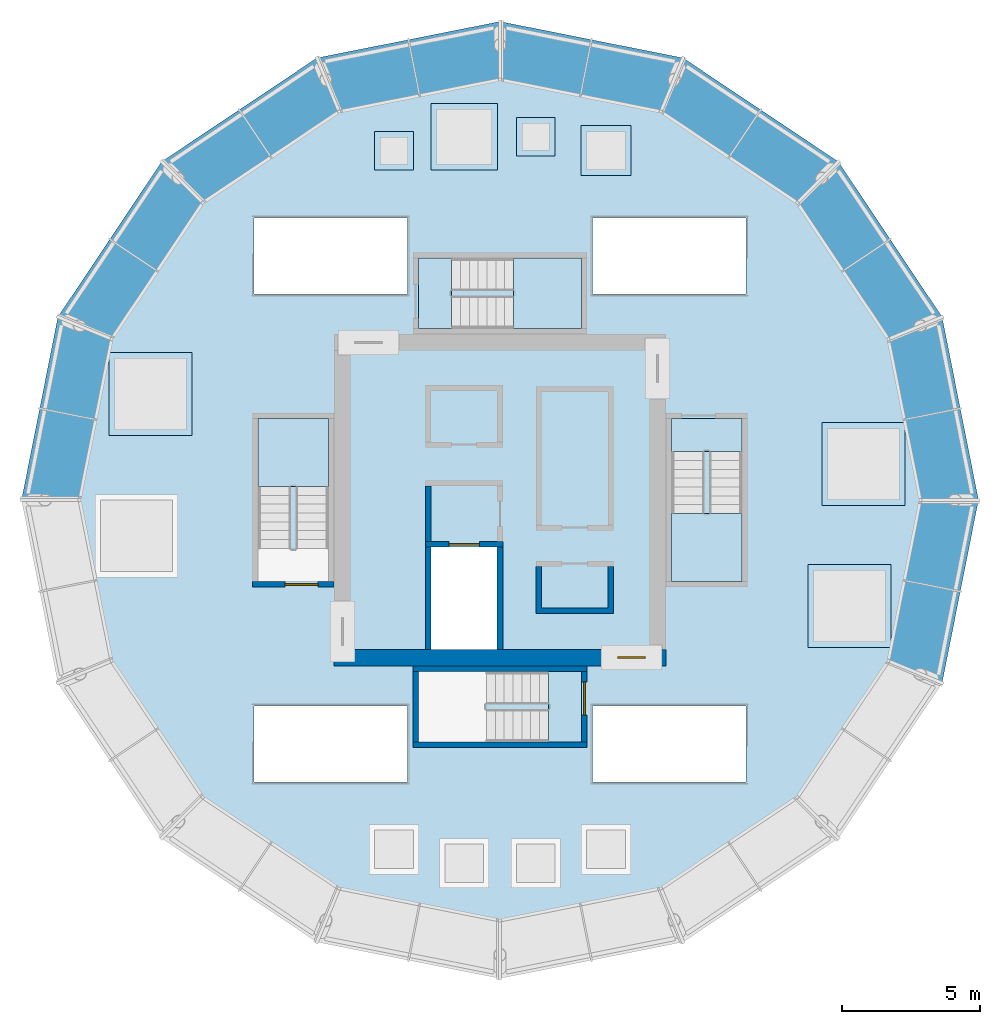
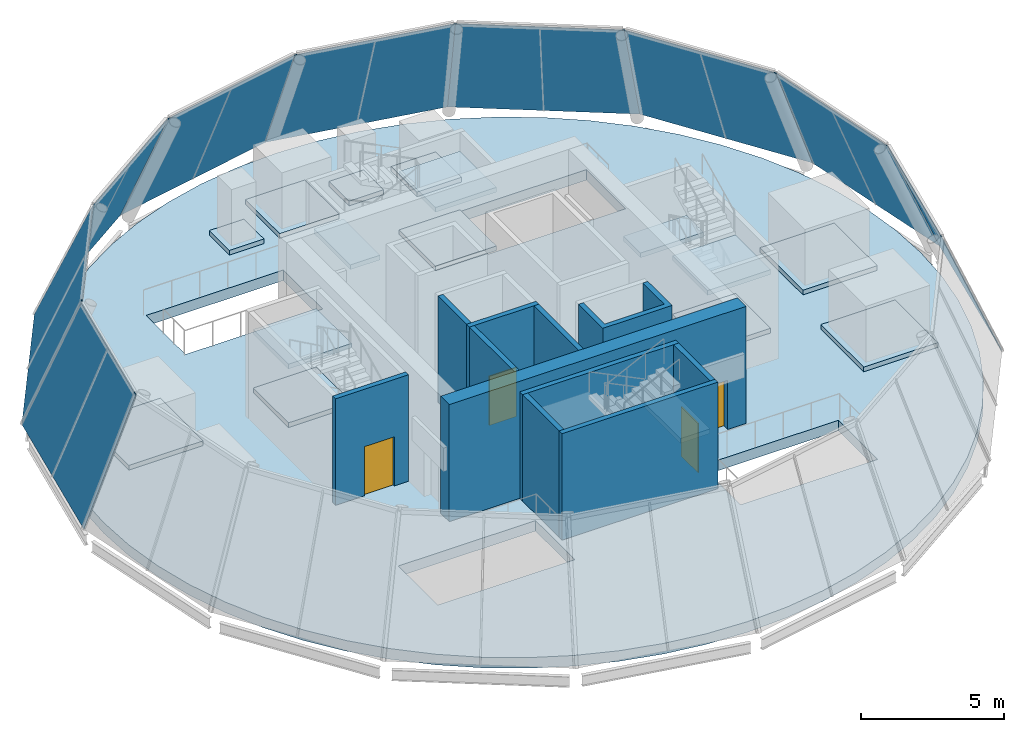
# One storey, part 3 of 8: 17 slabs, 11 walls, 9 plates, 4 doors, 4 openings, 13 elements without a shape of their own.
"""IFC4 building model written with IfcOpenShell, lengths in metres."""

from ifc_helpers import new_model, si_unit, direction, frame, frame_2d, origin, place, context, subcontext, project, spatial, polyline, rectangle, outline, extrude, material, layer, layer_set, type_object, element, fill, aggregate, save


model = new_model("IFC4")

# Units and contexts
model_context = context("Model", 3, precision=1e-05, world=origin(), true_north=direction((0.0, 1.0)))
body_context = subcontext(model_context, "Body", "Model", "MODEL_VIEW")
ifc_project = project(units=[si_unit("LENGTHUNIT", "METRE"), si_unit("AREAUNIT", "SQUARE_METRE"), si_unit("VOLUMEUNIT", "CUBIC_METRE"), si_unit("PLANEANGLEUNIT", "RADIAN"), si_unit("MASSUNIT", "GRAM", prefix="KILO")], contexts=[model_context])

# Site, building, storey
site_placement = place(None, origin())
site = spatial("IfcSite", under=ifc_project, at=site_placement, CompositionType="ELEMENT")
building_placement = place(site_placement, origin())
building = spatial("IfcBuilding", under=site, at=building_placement, Name="Corvane Civic Tower", CompositionType="ELEMENT")
storey_placement = place(building_placement, frame((0.0, 0.0, 392.5)))
storey = spatial("IfcBuildingStorey", under=building, at=storey_placement, Name="L93", CompositionType="ELEMENT", Elevation=392.5)

# Curtain wall, plate
ifc_material_1 = material(Name="Aluminium and glass", Category="aluminium")
curtain_wall_type = type_object("IfcCurtainWallType", Name="CROWN-CW-K-FACET", PredefinedType="NOTDEFINED", material=ifc_material_1)
curtain_wall_1_placement = place(storey_placement, origin())
curtain_wall_1 = element("IfcCurtainWall", 1, at=curtain_wall_1_placement, inside=storey, type_object=curtain_wall_type, Name="Glass cone facet 1 row 2", PredefinedType="NOTDEFINED")
ifc_material_2 = material(Name="Glass tinted low-e laminated", Category="glass")
ifc_layer_1 = layer(ifc_material_2, 0.030029296875)
ifc_layer_set_1 = layer_set([ifc_layer_1], Name="Glass tinted low-e laminated")
plate_type = type_object("IfcPlateType", Name="CROWN-CWK-PANEL-IGU30", PredefinedType="CURTAIN_PANEL", material=ifc_layer_set_1)
plate_1_placement = place(storey_placement, frame((0.0, 17.300048828125, 0.0), z_axis=(-0.180381320094, 0.906855382368, 0.380888297052), x_axis=(-0.980785793676, -0.195087741585, 2.447695e-06)))
plate_1 = element("IfcPlate", 2, at=plate_1_placement, type_object=plate_type, Name="Cone glass panel 1.2", PredefinedType="CURTAIN_PANEL", context=body_context, shape_type="SweptSolid", body=[
    extrude(outline(polyline([(0.0, 0.0), (6.75006631963624, -5.551115123125783e-17), (6.34055615463966, 5.407603930842758), (0.4097155473390921, 5.407637500255887), (0.0, 0.0)])), origin(), (0.0, 0.0, -1.0), 0.030029296875),
])
aggregate(curtain_wall_1, [plate_1])

curtain_wall_2_placement = place(storey_placement, origin())
curtain_wall_2 = element("IfcCurtainWall", 3, at=curtain_wall_2_placement, inside=storey, type_object=curtain_wall_type, Name="Glass cone facet 2 row 2", PredefinedType="NOTDEFINED")
plate_2_placement = place(storey_placement, frame((-6.620361328125, 15.983154296875, 0.0), z_axis=(-0.513700945955, 0.768797960736, 0.380868788027), x_axis=(-0.83146622056, -0.555575309087, 4.74259e-07)))
plate_2 = element("IfcPlate", 4, at=plate_2_placement, type_object=plate_type, Name="Cone glass panel 2.2", PredefinedType="CURTAIN_PANEL", context=body_context, shape_type="SweptSolid", body=[
    extrude(outline(polyline([(0.0, 0.0), (6.750187809410106, 2.220446049250313e-16), (6.34052989662686, 5.407570463935949), (0.40986605524184344, 5.407576968169113), (0.0, 0.0)])), origin(), (0.0, 0.0, -1.0), 0.030029296875),
])
aggregate(curtain_wall_2, [plate_2])

curtain_wall_3_placement = place(storey_placement, origin())
curtain_wall_3 = element("IfcCurtainWall", 5, at=curtain_wall_3_placement, inside=storey, type_object=curtain_wall_type, Name="Glass cone facet 3 row 2", PredefinedType="NOTDEFINED")
plate_3_placement = place(storey_placement, frame((-12.23291015625, 12.23291015625, 0.0), z_axis=(-0.768797960736, 0.513700945955, 0.380868788027), x_axis=(-0.555575309087, -0.83146622056, -4.74259e-07)))
plate_3 = element("IfcPlate", 6, at=plate_3_placement, type_object=plate_type, Name="Cone glass panel 3.2", PredefinedType="CURTAIN_PANEL", context=body_context, shape_type="SweptSolid", body=[
    extrude(outline(polyline([(0.0, 0.0), (6.750187809410106, -2.220446049250313e-16), (6.3403217541682615, 5.407576968169113), (0.4096579127832462, 5.407570463935949), (0.0, 0.0)])), origin(), (0.0, 0.0, -1.0), 0.030029296875),
])
aggregate(curtain_wall_3, [plate_3])

curtain_wall_4_placement = place(storey_placement, origin())
curtain_wall_4 = element("IfcCurtainWall", 7, at=curtain_wall_4_placement, inside=storey, type_object=curtain_wall_type, Name="Glass cone facet 4 row 2", PredefinedType="NOTDEFINED")
plate_4_placement = place(storey_placement, frame((-15.983154296875, 6.620361328125, 0.0), z_axis=(-0.906855382368, 0.180381320094, 0.380888297052), x_axis=(-0.195087741585, -0.980785793676, -2.447695e-06)))
plate_4 = element("IfcPlate", 8, at=plate_4_placement, type_object=plate_type, Name="Cone glass panel 4.2", PredefinedType="CURTAIN_PANEL", context=body_context, shape_type="SweptSolid", body=[
    extrude(outline(polyline([(0.0, 0.0), (6.75006631963624, 5.551115123125783e-17), (6.340350772297147, 5.407637500255888), (0.4095101649965811, 5.407603930842759), (0.0, 0.0)])), origin(), (0.0, 0.0, -1.0), 0.030029296875),
])
aggregate(curtain_wall_4, [plate_4])

curtain_wall_5_placement = place(storey_placement, origin())
curtain_wall_5 = element("IfcCurtainWall", 9, at=curtain_wall_5_placement, inside=storey, type_object=curtain_wall_type, Name="Glass cone facet 12 row 2", PredefinedType="NOTDEFINED")
plate_5_placement = place(storey_placement, frame((15.983154296875, -6.620361328125, 0.0), z_axis=(0.906855382368, -0.180381320094, 0.380888297052), x_axis=(0.195087741585, 0.980785793676, -2.447695e-06)))
plate_5 = element("IfcPlate", 10, at=plate_5_placement, type_object=plate_type, Name="Cone glass panel 12.2", PredefinedType="CURTAIN_PANEL", context=body_context, shape_type="SweptSolid", body=[
    extrude(outline(polyline([(0.0, 0.0), (6.75006631963624, 5.551115123125783e-17), (6.340350772297147, 5.407637500255888), (0.4095101649965811, 5.407603930842759), (0.0, 0.0)])), origin(), (0.0, 0.0, -1.0), 0.030029296875),
])
aggregate(curtain_wall_5, [plate_5])

curtain_wall_6_placement = place(storey_placement, origin())
curtain_wall_6 = element("IfcCurtainWall", 11, at=curtain_wall_6_placement, inside=storey, type_object=curtain_wall_type, Name="Glass cone facet 13 row 2", PredefinedType="NOTDEFINED")
plate_6_placement = place(storey_placement, frame((17.300048828125, 0.0, 0.0), z_axis=(0.906855382368, 0.180381320094, 0.380888297052), x_axis=(-0.195087741585, 0.980785793676, 2.447695e-06)))
plate_6 = element("IfcPlate", 12, at=plate_6_placement, type_object=plate_type, Name="Cone glass panel 13.2", PredefinedType="CURTAIN_PANEL", context=body_context, shape_type="SweptSolid", body=[
    extrude(outline(polyline([(0.0, 0.0), (6.75006631963624, -5.551115123125783e-17), (6.34055615463966, 5.407603930842758), (0.4097155473390921, 5.407637500255887), (0.0, 0.0)])), origin(), (0.0, 0.0, -1.0), 0.030029296875),
])
aggregate(curtain_wall_6, [plate_6])

curtain_wall_7_placement = place(storey_placement, origin())
curtain_wall_7 = element("IfcCurtainWall", 13, at=curtain_wall_7_placement, inside=storey, type_object=curtain_wall_type, Name="Glass cone facet 14 row 2", PredefinedType="NOTDEFINED")
plate_7_placement = place(storey_placement, frame((15.983154296875, 6.620361328125, 0.0), z_axis=(0.768797960736, 0.513700945955, 0.380868788027), x_axis=(-0.555575309087, 0.83146622056, 4.74259e-07)))
plate_7 = element("IfcPlate", 14, at=plate_7_placement, type_object=plate_type, Name="Cone glass panel 14.2", PredefinedType="CURTAIN_PANEL", context=body_context, shape_type="SweptSolid", body=[
    extrude(outline(polyline([(0.0, 0.0), (6.750187809410106, 2.220446049250313e-16), (6.34052989662686, 5.407570463935949), (0.40986605524184344, 5.407576968169113), (0.0, 0.0)])), origin(), (0.0, 0.0, -1.0), 0.030029296875),
])
aggregate(curtain_wall_7, [plate_7])

curtain_wall_8_placement = place(storey_placement, origin())
curtain_wall_8 = element("IfcCurtainWall", 15, at=curtain_wall_8_placement, inside=storey, type_object=curtain_wall_type, Name="Glass cone facet 15 row 2", PredefinedType="NOTDEFINED")
plate_8_placement = place(storey_placement, frame((12.23291015625, 12.23291015625, 0.0), z_axis=(0.513700945955, 0.768797960736, 0.380868788027), x_axis=(-0.83146622056, 0.555575309087, -4.74259e-07)))
plate_8 = element("IfcPlate", 16, at=plate_8_placement, type_object=plate_type, Name="Cone glass panel 15.2", PredefinedType="CURTAIN_PANEL", context=body_context, shape_type="SweptSolid", body=[
    extrude(outline(polyline([(0.0, 0.0), (6.750187809410106, -2.220446049250313e-16), (6.3403217541682615, 5.407576968169113), (0.4096579127832462, 5.407570463935949), (0.0, 0.0)])), origin(), (0.0, 0.0, -1.0), 0.030029296875),
])
aggregate(curtain_wall_8, [plate_8])

curtain_wall_9_placement = place(storey_placement, origin())
curtain_wall_9 = element("IfcCurtainWall", 17, at=curtain_wall_9_placement, inside=storey, type_object=curtain_wall_type, Name="Glass cone facet 16 row 2", PredefinedType="NOTDEFINED")
plate_9_placement = place(storey_placement, frame((6.620361328125, 15.983154296875, 0.0), z_axis=(0.180381320094, 0.906855382368, 0.380888297052), x_axis=(-0.980785793676, 0.195087741585, -2.447695e-06)))
plate_9 = element("IfcPlate", 18, at=plate_9_placement, type_object=plate_type, Name="Cone glass panel 16.2", PredefinedType="CURTAIN_PANEL", context=body_context, shape_type="SweptSolid", body=[
    extrude(outline(polyline([(0.0, 0.0), (6.75006631963624, 5.551115123125783e-17), (6.340350772297147, 5.407637500255888), (0.4095101649965811, 5.407603930842759), (0.0, 0.0)])), origin(), (0.0, 0.0, -1.0), 0.030029296875),
])
aggregate(curtain_wall_9, [plate_9])

# Slabs
ifc_material_3 = material(Name="Concrete C30/37", Category="concrete")
ifc_layer_2 = layer(ifc_material_3, 0.199951171875)
ifc_layer_set_2 = layer_set([ifc_layer_2], Name="Concrete C30/37")
slab_type_1 = type_object("IfcSlabType", Name="CROWN-SL-PLINTH-200", PredefinedType="USERDEFINED", material=ifc_layer_set_2)
slab_1_placement = place(storey_placement, origin())
element("IfcSlab", 19, at=slab_1_placement, inside=storey, type_object=slab_type_1, Name="Air handler plinth L93-01", ObjectType="PLINTH", PredefinedType="USERDEFINED", context=body_context, shape_type="SweptSolid", body=[
    extrude(outline(polyline([(-0.093994140625, 11.93603515625), (-0.093994140625, 14.3359375), (-2.493896484375, 14.3359375), (-2.493896484375, 11.93603515625), (-0.093994140625, 11.93603515625)])), origin(), (0.0, 0.0, 1.0), 0.199951171875),
])
slab_2_placement = place(storey_placement, origin())
element("IfcSlab", 20, at=slab_2_placement, inside=storey, type_object=slab_type_1, Name="Chiller plinth L93-02", ObjectType="PLINTH", PredefinedType="USERDEFINED", context=body_context, shape_type="SweptSolid", body=[
    extrude(outline(polyline([(-3.132080078125, 11.931884765625), (-3.132080078125, 13.33203125), (-4.531982421875, 13.33203125), (-4.531982421875, 11.931884765625), (-3.132080078125, 11.931884765625)])), origin(), (0.0, 0.0, 1.0), 0.199951171875),
])
slab_3_placement = place(storey_placement, origin())
element("IfcSlab", 21, at=slab_3_placement, inside=storey, type_object=slab_type_1, Name="Water tank plinth L93-03", ObjectType="PLINTH", PredefinedType="USERDEFINED", context=body_context, shape_type="SweptSolid", body=[
    extrude(outline(polyline([(-11.132080078125, 2.33203125), (-11.132080078125, 5.33203125), (-14.132080078125, 5.33203125), (-14.132080078125, 2.33203125), (-11.132080078125, 2.33203125)])), origin(), (0.0, 0.0, 1.0), 0.199951171875),
])
slab_4_placement = place(storey_placement, origin())
element("IfcSlab", 22, at=slab_4_placement, inside=storey, type_object=slab_type_1, Name="Air handler plinth L93-09", ObjectType="PLINTH", PredefinedType="USERDEFINED", context=body_context, shape_type="SweptSolid", body=[
    extrude(outline(polyline([(14.132080078125, -5.33203125), (14.132080078125, -2.33203125), (11.132080078125, -2.33203125), (11.132080078125, -5.33203125), (14.132080078125, -5.33203125)])), origin(), (0.0, 0.0, 1.0), 0.199951171875),
])
slab_5_placement = place(storey_placement, origin())
element("IfcSlab", 23, at=slab_5_placement, inside=storey, type_object=slab_type_1, Name="Chiller plinth L93-10", ObjectType="PLINTH", PredefinedType="USERDEFINED", context=body_context, shape_type="SweptSolid", body=[
    extrude(outline(polyline([(14.635986328125, -0.2060546875), (14.635986328125, 2.7939453125), (11.635986328125, 2.7939453125), (11.635986328125, -0.2060546875), (14.635986328125, -0.2060546875)])), origin(), (0.0, 0.0, 1.0), 0.199951171875),
])
slab_6_placement = place(storey_placement, origin())
element("IfcSlab", 24, at=slab_6_placement, inside=storey, type_object=slab_type_1, Name="Water tank plinth L93-11", ObjectType="PLINTH", PredefinedType="USERDEFINED", context=body_context, shape_type="SweptSolid", body=[
    extrude(outline(polyline([(4.73193359375, 11.73193359375), (4.73193359375, 13.531982421875), (2.931884765625, 13.531982421875), (2.931884765625, 11.73193359375), (4.73193359375, 11.73193359375)])), origin(), (0.0, 0.0, 1.0), 0.199951171875),
])
slab_7_placement = place(storey_placement, origin())
element("IfcSlab", 25, at=slab_7_placement, inside=storey, type_object=slab_type_1, Name="Lift machine room plinth L93-12", ObjectType="PLINTH", PredefinedType="USERDEFINED", context=body_context, shape_type="SweptSolid", body=[
    extrude(outline(polyline([(1.993896484375, 12.43603515625), (1.993896484375, 13.8359375), (0.593994140625, 13.8359375), (0.593994140625, 12.43603515625), (1.993896484375, 12.43603515625)])), origin(), (0.0, 0.0, 1.0), 0.199951171875),
])

# Stair, slabs
ifc_material_4 = material(Name="Concrete C40/50", Category="concrete")
stair_type = type_object("IfcStairType", Name="ST-STAIR-HALFTURN", PredefinedType="HALF_TURN_STAIR", material=ifc_material_4)
stair_1_placement = place(storey_placement, origin())
stair_1 = element("IfcStair", 26, at=stair_1_placement, inside=storey, type_object=stair_type, Name="L93 Crown stair CS1", PredefinedType="HALF_TURN_STAIR")
ifc_material_5 = material(Name="Concrete C40/50", Category="concrete")
ifc_layer_3 = layer(ifc_material_5, 0.199951171875)
ifc_layer_set_3 = layer_set([ifc_layer_3], Name="Concrete C40/50")
slab_type_2 = type_object("IfcSlabType", Name="ST-LANDING-RC", PredefinedType="LANDING", material=ifc_layer_set_3)
slab_8_placement = place(storey_placement, frame((0.0, 0.0, 1.050048828125)))
slab_8 = element("IfcSlab", 27, at=slab_8_placement, type_object=slab_type_2, Name="CS1 landing 1", PredefinedType="LANDING", context=body_context, shape_type="SweptSolid", body=[
    extrude(outline(polyline([(6.199951171875, -0.489990234375), (6.199951171875, -2.949951171875), (8.75, -2.949951171875), (8.75, -0.489990234375), (6.199951171875, -0.489990234375)])), origin(), (0.0, 0.0, 1.0), 0.199951171875),
])
slab_9_placement = place(storey_placement, frame((0.0, 0.0, 2.300048828125)))
slab_9 = element("IfcSlab", 28, at=slab_9_placement, type_object=slab_type_2, Name="CS1 landing 2", PredefinedType="LANDING", context=body_context, shape_type="SweptSolid", body=[
    extrude(outline(polyline([(6.199951171875, 2.949951171875), (6.199951171875, 1.75), (8.75, 1.75), (8.75, 2.949951171875), (6.199951171875, 2.949951171875)])), origin(), (0.0, 0.0, 1.0), 0.199951171875),
])
slab_10_placement = place(storey_placement, frame((0.0, 0.0, 3.550048828125)))
slab_10 = element("IfcSlab", 29, at=slab_10_placement, type_object=slab_type_2, Name="CS1 landing 3", PredefinedType="LANDING", context=body_context, shape_type="SweptSolid", body=[
    extrude(outline(polyline([(6.199951171875, -0.489990234375), (6.199951171875, -2.949951171875), (8.75, -2.949951171875), (8.75, -0.489990234375), (6.199951171875, -0.489990234375)])), origin(), (0.0, 0.0, 1.0), 0.199951171875),
])
aggregate(stair_1, [slab_8, slab_9, slab_10])

stair_2_placement = place(storey_placement, origin())
stair_2 = element("IfcStair", 30, at=stair_2_placement, inside=storey, type_object=stair_type, Name="L93 Crown stair CS2", PredefinedType="HALF_TURN_STAIR")
slab_11_placement = place(storey_placement, frame((0.0, 0.0, 1.050048828125)))
slab_11 = element("IfcSlab", 31, at=slab_11_placement, type_object=slab_type_2, Name="CS2 landing 1", PredefinedType="LANDING", context=body_context, shape_type="SweptSolid", body=[
    extrude(outline(polyline([(0.489990234375, 6.199951171875), (2.949951171875, 6.199951171875), (2.949951171875, 8.75), (0.489990234375, 8.75), (0.489990234375, 6.199951171875)])), origin(), (0.0, 0.0, 1.0), 0.199951171875),
])
slab_12_placement = place(storey_placement, frame((0.0, 0.0, 2.300048828125)))
slab_12 = element("IfcSlab", 32, at=slab_12_placement, type_object=slab_type_2, Name="CS2 landing 2", PredefinedType="LANDING", context=body_context, shape_type="SweptSolid", body=[
    extrude(outline(polyline([(-2.949951171875, 6.199951171875), (-1.75, 6.199951171875), (-1.75, 8.75), (-2.949951171875, 8.75), (-2.949951171875, 6.199951171875)])), origin(), (0.0, 0.0, 1.0), 0.199951171875),
])
slab_13_placement = place(storey_placement, frame((0.0, 0.0, 3.550048828125)))
slab_13 = element("IfcSlab", 33, at=slab_13_placement, type_object=slab_type_2, Name="CS2 landing 3", PredefinedType="LANDING", context=body_context, shape_type="SweptSolid", body=[
    extrude(outline(polyline([(0.489990234375, 6.199951171875), (2.949951171875, 6.199951171875), (2.949951171875, 8.75), (0.489990234375, 8.75), (0.489990234375, 6.199951171875)])), origin(), (0.0, 0.0, 1.0), 0.199951171875),
])
aggregate(stair_2, [slab_11, slab_12, slab_13])

stair_3_placement = place(storey_placement, origin())
stair_3 = element("IfcStair", 34, at=stair_3_placement, inside=storey, type_object=stair_type, Name="L93 Crown stair CS3", PredefinedType="HALF_TURN_STAIR")
slab_14_placement = place(storey_placement, frame((0.0, 0.0, 1.050048828125)))
slab_14 = element("IfcSlab", 35, at=slab_14_placement, type_object=slab_type_2, Name="CS3 landing 1", PredefinedType="LANDING", context=body_context, shape_type="SweptSolid", body=[
    extrude(outline(polyline([(-6.199951171875, 0.489990234375), (-6.199951171875, 2.949951171875), (-8.75, 2.949951171875), (-8.75, 0.489990234375), (-6.199951171875, 0.489990234375)])), origin(), (0.0, 0.0, 1.0), 0.199951171875),
])
slab_15_placement = place(storey_placement, frame((0.0, 0.0, 3.550048828125)))
slab_15 = element("IfcSlab", 36, at=slab_15_placement, type_object=slab_type_2, Name="CS3 landing 3", PredefinedType="LANDING", context=body_context, shape_type="SweptSolid", body=[
    extrude(outline(polyline([(-6.199951171875, 0.489990234375), (-6.199951171875, 2.949951171875), (-8.75, 2.949951171875), (-8.75, 0.489990234375), (-6.199951171875, 0.489990234375)])), origin(), (0.0, 0.0, 1.0), 0.199951171875),
])
aggregate(stair_3, [slab_14, slab_15])

# Stair, slab
stair_4_placement = place(storey_placement, origin())
stair_4 = element("IfcStair", 37, at=stair_4_placement, inside=storey, type_object=stair_type, Name="L93 Crown stair CS4", PredefinedType="HALF_TURN_STAIR")
slab_16_placement = place(storey_placement, frame((0.0, 0.0, 2.300048828125)))
slab_16 = element("IfcSlab", 38, at=slab_16_placement, type_object=slab_type_2, Name="CS4 landing 2", PredefinedType="LANDING", context=body_context, shape_type="SweptSolid", body=[
    extrude(outline(polyline([(2.949951171875, -6.199951171875), (1.75, -6.199951171875), (1.75, -8.75), (2.949951171875, -8.75), (2.949951171875, -6.199951171875)])), origin(), (0.0, 0.0, 1.0), 0.199951171875),
])
aggregate(stair_4, [slab_16])

# Slab
ifc_material_6 = material(Name="Concrete C50/60", Category="concrete")
ifc_layer_4 = layer(ifc_material_6, 0.449951171875)
ifc_layer_set_4 = layer_set([ifc_layer_4], Name="Concrete C50/60")
slab_type_3 = type_object("IfcSlabType", Name="TRANSFER FLOOR SLAB 450", PredefinedType="FLOOR", material=ifc_layer_set_4)
slab_17_placement = place(storey_placement, frame((0.0, 0.0, -0.449951171875)))
element("IfcSlab", 39, at=slab_17_placement, inside=storey, type_object=slab_type_3, Name="SLB-L93", PredefinedType="FLOOR", context=body_context, shape_type="SweptSolid", body=[
    extrude(outline(polyline([(0.0, 16.5), (-1.6171875, 16.420654296875), (-3.218994140625, 16.182861328125), (-4.789794921875, 15.78955078125), (-6.314208984375, 15.243896484375), (-7.778076171875, 14.5517578125), (-9.1669921875, 13.71923828125), (-10.467529296875, 12.754638671875), (-11.667236328125, 11.667236328125), (-12.754638671875, 10.467529296875), (-13.71923828125, 9.1669921875), (-14.5517578125, 7.778076171875), (-15.243896484375, 6.314208984375), (-15.78955078125, 4.789794921875), (-16.182861328125, 3.218994140625), (-16.420654296875, 1.6171875), (-16.5, 0.0), (-16.420654296875, -1.6171875), (-16.182861328125, -3.218994140625), (-15.78955078125, -4.789794921875), (-15.243896484375, -6.314208984375), (-14.5517578125, -7.778076171875), (-13.71923828125, -9.1669921875), (-12.754638671875, -10.467529296875), (-11.667236328125, -11.667236328125), (-10.467529296875, -12.754638671875), (-9.1669921875, -13.71923828125), (-7.778076171875, -14.5517578125), (-6.314208984375, -15.243896484375), (-4.789794921875, -15.78955078125), (-3.218994140625, -16.182861328125), (-1.6171875, -16.420654296875), (0.0, -16.5), (1.6171875, -16.420654296875), (3.218994140625, -16.182861328125), (4.789794921875, -15.78955078125), (6.314208984375, -15.243896484375), (7.778076171875, -14.5517578125), (9.1669921875, -13.71923828125), (10.467529296875, -12.754638671875), (11.667236328125, -11.667236328125), (12.754638671875, -10.467529296875), (13.71923828125, -9.1669921875), (14.5517578125, -7.778076171875), (15.243896484375, -6.314208984375), (15.78955078125, -4.789794921875), (16.182861328125, -3.218994140625), (16.420654296875, -1.6171875), (16.5, 0.0), (16.420654296875, 1.6171875), (16.182861328125, 3.218994140625), (15.78955078125, 4.789794921875), (15.243896484375, 6.314208984375), (14.5517578125, 7.778076171875), (13.71923828125, 9.1669921875), (12.754638671875, 10.467529296875), (11.667236328125, 11.667236328125), (10.467529296875, 12.754638671875), (9.1669921875, 13.71923828125), (7.778076171875, 14.5517578125), (6.314208984375, 15.243896484375), (4.789794921875, 15.78955078125), (3.218994140625, 16.182861328125), (1.6171875, 16.420654296875), (0.0, 16.5)]), holes=[polyline([(-2.5, -5.39990234375), (-2.5, -1.699951171875), (-0.10009765625, -1.699951171875), (-0.10009765625, -5.39990234375), (-2.5, -5.39990234375)]), polyline([(8.889892578125, 10.199951171875), (8.889892578125, 7.449951171875), (3.35009765625, 7.449951171875), (3.35009765625, 10.199951171875), (8.889892578125, 10.199951171875)]), polyline([(-8.889892578125, 7.449951171875), (-8.889892578125, 10.199951171875), (-3.35009765625, 10.199951171875), (-3.35009765625, 7.449951171875), (-8.889892578125, 7.449951171875)]), polyline([(8.889892578125, -7.449951171875), (8.889892578125, -10.199951171875), (3.35009765625, -10.199951171875), (3.35009765625, -7.449951171875), (8.889892578125, -7.449951171875)]), polyline([(-8.889892578125, -10.199951171875), (-8.889892578125, -7.449951171875), (-3.35009765625, -7.449951171875), (-3.35009765625, -10.199951171875), (-8.889892578125, -10.199951171875)])]), origin(), (0.0, 0.0, 1.0), 0.449951171875),
])

# Wall, opening, door
ifc_material_7 = material(Name="Concrete C40/50", Category="concrete")
ifc_layer_5 = layer(ifc_material_7, 0.60009765625)
ifc_layer_set_5 = layer_set([ifc_layer_5], Name="Concrete C40/50")
wall_type_1 = type_object("IfcWallType", Name="CORE WALL 600 C40/50", PredefinedType="SHEAR", material=ifc_layer_set_5)
wall_1_placement = place(storey_placement, frame((-6.0, -5.699951171875, 0.0), z_axis=(0.0, 0.0, 1.0), x_axis=(1.0, 0.0, 0.0)))
wall_1 = element("IfcWall", 40, at=wall_1_placement, inside=storey, type_object=wall_type_1, Name="W-L93-core-S", PredefinedType="SHEAR", context=body_context, shape_type="SweptSolid", body=[
    extrude(rectangle(XDim=12.0, YDim=0.60009765625, at=frame_2d((6.0, 0.0))), origin(), (0.0, 0.0, 1.0), 5.0),
])
opening_1_placement = place(wall_1_placement, frame((10.25, 0.0, 0.0)))
opening_1 = element("IfcOpeningElement", 41, at=opening_1_placement, cuts=wall_1, Name="Opening L93.C12", PredefinedType="OPENING", context=body_context, shape_type="SweptSolid", body=[
    extrude(rectangle(XDim=1.0, YDim=2.10009765625, at=frame_2d((0.5, 1.050048828125))), frame((0.0, 0.31005859375, 0.0), z_axis=(0.0, -1.0, 0.0), x_axis=(1.0, 0.0, 0.0)), (0.0, 0.0, 1.0), 0.6201171875),
])
ifc_material_8 = material(Name="Steel fire door leaf", Category="steel")
door_type_1 = type_object("IfcDoorType", Name="CR-DOOR-CORE-1800", OperationType="DOUBLE_DOOR_SINGLE_SWING", PredefinedType="DOOR", material=ifc_material_8)
door_1_placement = place(opening_1_placement, origin())
door_1 = element("IfcDoor", 42, at=door_1_placement, inside=storey, type_object=door_type_1, Name="L93 door", OperationType="DOUBLE_DOOR_SINGLE_SWING", OverallHeight=2.10009765625, OverallWidth=1.0, PredefinedType="DOOR", context=body_context, shape_type="SweptSolid", body=[
    extrude(rectangle(XDim=1.0, YDim=2.10009765625, at=frame_2d((0.5, 1.050048828125))), frame((0.0, 0.02490234375, 0.0), z_axis=(0.0, -1.0, 0.0), x_axis=(1.0, 0.0, 0.0)), (0.0, 0.0, 1.0), 0.050048828125),
])
fill(opening_1, door_1)

ifc_material_9 = material(Name="Concrete C30/37", Category="concrete")
ifc_layer_6 = layer(ifc_material_9, 0.199951171875)
ifc_layer_set_6 = layer_set([ifc_layer_6], Name="Concrete C30/37")
wall_type_2 = type_object("IfcWallType", Name="CR-WALL-200", PredefinedType="PARTITIONING", material=ifc_layer_set_6)
wall_2_placement = place(storey_placement, frame((-2.699951171875, -1.60009765625, 0.0), z_axis=(0.0, 0.0, 1.0), x_axis=(1.0, 0.0, 0.0)))
wall_2 = element("IfcWall", 43, at=wall_2_placement, inside=storey, type_object=wall_type_2, Name="L93 lift shaft wall", PredefinedType="PARTITIONING", context=body_context, shape_type="SweptSolid", body=[
    extrude(rectangle(XDim=2.800048828125, YDim=0.199951171875, at=frame_2d((1.39990234375, 0.0))), origin(), (0.0, 0.0, 1.0), 4.550048828125),
])
opening_2_placement = place(wall_2_placement, frame((0.85009765625, 0.0, 0.0)))
opening_2 = element("IfcOpeningElement", 44, at=opening_2_placement, cuts=wall_2, Name="Opening LD", PredefinedType="OPENING", context=body_context, shape_type="SweptSolid", body=[
    extrude(rectangle(XDim=1.10009765625, YDim=2.10009765625, at=frame_2d((0.550048828125, 1.050048828125))), frame((0.0, 0.10986328125, 0.0), z_axis=(0.0, -1.0, 0.0), x_axis=(1.0, 0.0, 0.0)), (0.0, 0.0, 1.0), 0.219970703125),
])
ifc_material_10 = material(Name="Stainless steel 316 door leaves", Category="steel")
door_type_2 = type_object("IfcDoorType", Name="LD", OperationType="DOUBLE_DOOR_SLIDING", PredefinedType="DOOR", material=ifc_material_10)
door_2_placement = place(opening_2_placement, origin())
door_2 = element("IfcDoor", 45, at=door_2_placement, inside=storey, type_object=door_type_2, Name="L93 landing door", OperationType="DOUBLE_DOOR_SLIDING", OverallHeight=2.10009765625, OverallWidth=1.10009765625, PredefinedType="DOOR", context=body_context, shape_type="SweptSolid", body=[
    extrude(rectangle(XDim=1.10009765625, YDim=2.10009765625, at=frame_2d((0.550048828125, 1.050048828125))), frame((0.0, 0.02490234375, 0.0), z_axis=(0.0, -1.0, 0.0), x_axis=(1.0, 0.0, 0.0)), (0.0, 0.0, 1.0), 0.050048828125),
])
fill(opening_2, door_2)

# Walls
wall_3_placement = place(storey_placement, origin())
element("IfcWall", 46, at=wall_3_placement, inside=storey, type_object=wall_type_2, Name="L93 core partition wall", PredefinedType="PARTITIONING", context=body_context, shape_type="SweptSolid", body=[
    extrude(outline(polyline([(-2.5, -1.5), (-2.699951171875, -1.5), (-2.699951171875, 0.5), (-2.5, 0.5), (-2.5, -1.5)])), origin(), (0.0, 0.0, 1.0), 4.550048828125),
])
wall_4_placement = place(storey_placement, origin())
element("IfcWall", 47, at=wall_4_placement, inside=storey, type_object=wall_type_2, Name="L93 core partition wall", PredefinedType="PARTITIONING", context=body_context, shape_type="SweptSolid", body=[
    extrude(outline(polyline([(-2.699951171875, -5.39990234375), (-2.699951171875, -1.699951171875), (-2.5, -1.699951171875), (-2.5, -5.39990234375), (-2.699951171875, -5.39990234375)])), origin(), (0.0, 0.0, 1.0), 4.550048828125),
])
wall_5_placement = place(storey_placement, origin())
element("IfcWall", 48, at=wall_5_placement, inside=storey, type_object=wall_type_2, Name="L93 core partition wall", PredefinedType="PARTITIONING", context=body_context, shape_type="SweptSolid", body=[
    extrude(outline(polyline([(-0.10009765625, -1.699951171875), (0.10009765625, -1.699951171875), (0.10009765625, -5.39990234375), (-0.10009765625, -5.39990234375), (-0.10009765625, -1.699951171875)])), origin(), (0.0, 0.0, 1.0), 4.550048828125),
])
wall_6_placement = place(storey_placement, origin())
element("IfcWall", 49, at=wall_6_placement, inside=storey, type_object=wall_type_2, Name="L93 core partition wall", PredefinedType="PARTITIONING", context=body_context, shape_type="SweptSolid", body=[
    extrude(outline(polyline([(1.300048828125, -4.10009765625), (1.300048828125, -2.39990234375), (1.5, -2.39990234375), (1.5, -3.89990234375), (3.89990234375, -3.89990234375), (3.89990234375, -2.39990234375), (4.10009765625, -2.39990234375), (4.10009765625, -4.10009765625), (1.300048828125, -4.10009765625)])), origin(), (0.0, 0.0, 1.0), 4.550048828125),
])

# Wall, opening, door
ifc_material_11 = material(Name="Concrete C50/60", Category="concrete")
ifc_layer_7 = layer(ifc_material_11, 0.199951171875)
ifc_layer_set_7 = layer_set([ifc_layer_7], Name="Concrete C50/60")
wall_type_3 = type_object("IfcWallType", Name="ST-WALL-200", PredefinedType="SHEAR", material=ifc_layer_set_7)
wall_7_placement = place(storey_placement, frame((-8.949951171875, -3.050048828125, 0.0), z_axis=(0.0, 0.0, 1.0), x_axis=(1.0, 0.0, 0.0)))
wall_7 = element("IfcWall", 50, at=wall_7_placement, inside=storey, type_object=wall_type_3, Name="L93 stair enclosure wall", PredefinedType="SHEAR", context=body_context, shape_type="SweptSolid", body=[
    extrude(rectangle(XDim=2.949951171875, YDim=0.199951171875, at=frame_2d((1.47509765625, 0.0))), origin(), (0.0, 0.0, 1.0), 4.550048828125),
])
opening_3_placement = place(wall_7_placement, frame((1.175048828125, 0.0, 0.0)))
opening_3 = element("IfcOpeningElement", 51, at=opening_3_placement, cuts=wall_7, Name="Opening L93.C07", PredefinedType="OPENING", context=body_context, shape_type="SweptSolid", body=[
    extrude(rectangle(XDim=1.199951171875, YDim=2.10009765625, at=frame_2d((0.60009765625, 1.050048828125))), frame((0.0, 0.10986328125, 0.0), z_axis=(0.0, -1.0, 0.0), x_axis=(1.0, 0.0, 0.0)), (0.0, 0.0, 1.0), 0.219970703125),
])
ifc_material_12 = material(Name="Steel fire door leaf", Category="steel")
door_type_3 = type_object("IfcDoorType", Name="ST-DOOR-1200", OperationType="SINGLE_SWING_RIGHT", PredefinedType="DOOR", material=ifc_material_12)
door_3_placement = place(opening_3_placement, origin())
door_3 = element("IfcDoor", 52, at=door_3_placement, inside=storey, type_object=door_type_3, Name="L93 stair door", OperationType="SINGLE_SWING_RIGHT", OverallHeight=2.10009765625, OverallWidth=1.199951171875, PredefinedType="DOOR", context=body_context, shape_type="SweptSolid", body=[
    extrude(rectangle(XDim=1.199951171875, YDim=2.10009765625, at=frame_2d((0.60009765625, 1.050048828125))), frame((0.0, 0.02490234375, 0.0), z_axis=(0.0, -1.0, 0.0), x_axis=(1.0, 0.0, 0.0)), (0.0, 0.0, 1.0), 0.050048828125),
])
fill(opening_3, door_3)

wall_8_placement = place(storey_placement, frame((3.050048828125, -8.75, 0.0), z_axis=(0.0, 0.0, 1.0), x_axis=(0.0, 1.0, 0.0)))
wall_8 = element("IfcWall", 53, at=wall_8_placement, inside=storey, type_object=wall_type_3, Name="L93 stair enclosure wall", PredefinedType="SHEAR", context=body_context, shape_type="SweptSolid", body=[
    extrude(rectangle(XDim=2.550048828125, YDim=0.199951171875, at=frame_2d((1.27490234375, 0.0))), origin(), (0.0, 0.0, 1.0), 4.550048828125),
])
opening_4_placement = place(wall_8_placement, frame((0.97509765625, 0.0, 0.0)))
opening_4 = element("IfcOpeningElement", 54, at=opening_4_placement, cuts=wall_8, Name="Opening L93.C08", PredefinedType="OPENING", context=body_context, shape_type="SweptSolid", body=[
    extrude(rectangle(XDim=1.199951171875, YDim=2.10009765625, at=frame_2d((0.60009765625, 1.050048828125))), frame((0.0, 0.10986328125, 0.0), z_axis=(0.0, -1.0, 0.0), x_axis=(1.0, 0.0, 0.0)), (0.0, 0.0, 1.0), 0.219970703125),
])
door_4_placement = place(opening_4_placement, origin())
door_4 = element("IfcDoor", 55, at=door_4_placement, inside=storey, type_object=door_type_3, Name="L93 stair door", OperationType="SINGLE_SWING_RIGHT", OverallHeight=2.10009765625, OverallWidth=1.199951171875, PredefinedType="DOOR", context=body_context, shape_type="SweptSolid", body=[
    extrude(rectangle(XDim=1.199951171875, YDim=2.10009765625, at=frame_2d((0.60009765625, 1.050048828125))), frame((0.0, 0.02490234375, 0.0), z_axis=(0.0, -1.0, 0.0), x_axis=(1.0, 0.0, 0.0)), (0.0, 0.0, 1.0), 0.050048828125),
])
fill(opening_4, door_4)

# Walls
wall_9_placement = place(storey_placement, origin())
element("IfcWall", 56, at=wall_9_placement, inside=storey, type_object=wall_type_3, Name="L93 stair enclosure wall", PredefinedType="SHEAR", context=body_context, shape_type="SweptSolid", body=[
    extrude(outline(polyline([(3.14990234375, -8.75), (3.14990234375, -8.949951171875), (-3.14990234375, -8.949951171875), (-3.14990234375, -8.75), (3.14990234375, -8.75)])), origin(), (0.0, 0.0, 1.0), 4.550048828125),
])
wall_10_placement = place(storey_placement, origin())
element("IfcWall", 57, at=wall_10_placement, inside=storey, type_object=wall_type_3, Name="L93 stair enclosure wall", PredefinedType="SHEAR", context=body_context, shape_type="SweptSolid", body=[
    extrude(outline(polyline([(3.14990234375, -6.199951171875), (-3.14990234375, -6.199951171875), (-3.14990234375, -6.0), (3.14990234375, -6.0), (3.14990234375, -6.199951171875)])), origin(), (0.0, 0.0, 1.0), 4.550048828125),
])
wall_11_placement = place(storey_placement, origin())
element("IfcWall", 58, at=wall_11_placement, inside=storey, type_object=wall_type_3, Name="L93 stair enclosure wall", PredefinedType="SHEAR", context=body_context, shape_type="SweptSolid", body=[
    extrude(outline(polyline([(-2.949951171875, -8.75), (-3.14990234375, -8.75), (-3.14990234375, -6.2001953125), (-2.949951171875, -6.2001953125), (-2.949951171875, -8.75)])), origin(), (0.0, 0.0, 1.0), 4.550048828125),
])

save(model, "model.ifc")
